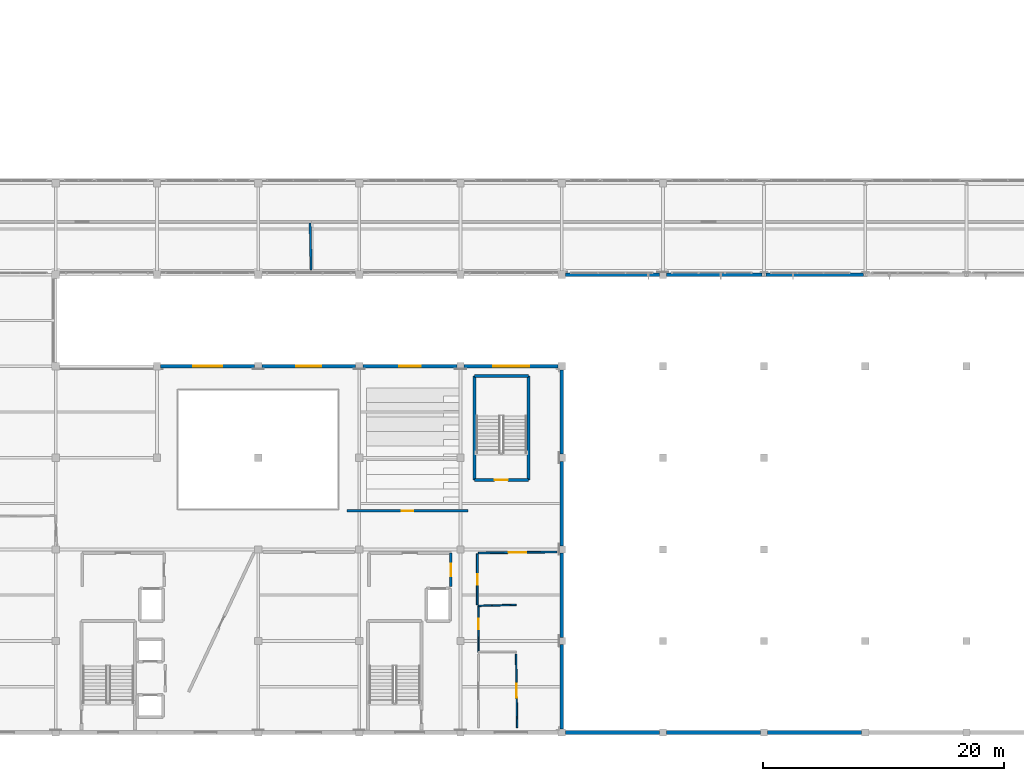
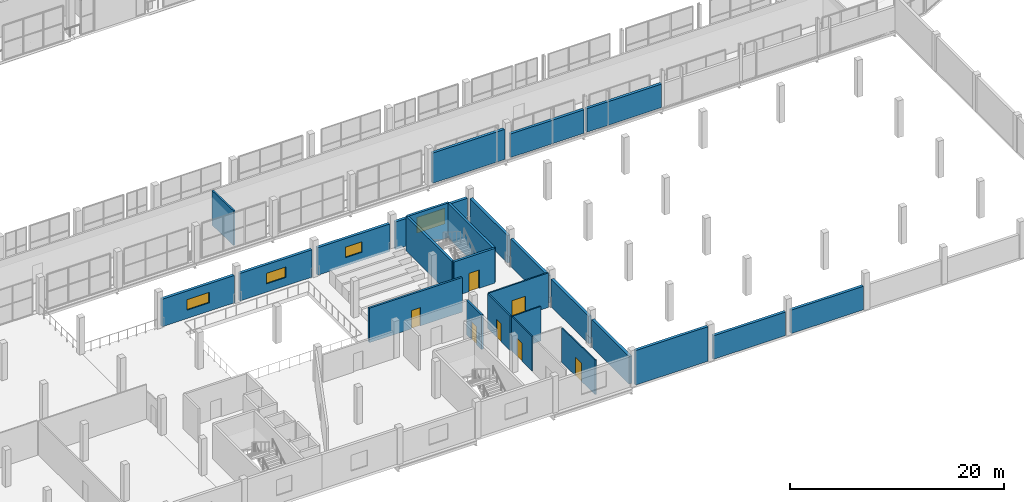
# One storey, part 129 of 151: 26 walls, 7 doors, 4 windows, 11 openings.
"""IFC4 building model written with IfcOpenShell, lengths in metres."""

from ifc_helpers import new_model, si_unit, direction, frame, frame_2d, origin, place, context, subcontext, project, spatial, rectangle, extrude, material, layer, layer_set, type_object, element, fill, save


model = new_model("IFC4")

# Units and contexts
model_context = context("Model", 3, precision=1e-05, world=origin(), true_north=direction((0.0, 1.0)))
body_context = subcontext(model_context, "Body", "Model", "MODEL_VIEW")
ifc_project = project(units=[si_unit("LENGTHUNIT", "METRE"), si_unit("AREAUNIT", "SQUARE_METRE"), si_unit("VOLUMEUNIT", "CUBIC_METRE"), si_unit("PLANEANGLEUNIT", "RADIAN"), si_unit("MASSUNIT", "GRAM", prefix="KILO")], contexts=[model_context])

# Site, building, storey
site_placement = place(None, origin())
site = spatial("IfcSite", under=ifc_project, at=site_placement, CompositionType="ELEMENT")
building_placement = place(site_placement, origin())
building = spatial("IfcBuilding", under=site, at=building_placement, Name="Zuvorla Pavilion Media Centre", CompositionType="ELEMENT")
storey_placement = place(building_placement, frame((0.0, 0.0, 13.800048828125)))
storey = spatial("IfcBuildingStorey", under=building, at=storey_placement, Name="L03", CompositionType="ELEMENT", Elevation=13.800048828125)

# Wall, opening, door
ifc_material_1 = material(Name="Acoustic masonry blockwork C32/40", Category="masonry")
ifc_layer_1 = layer(ifc_material_1, 0.219970703125)
ifc_layer_set_1 = layer_set([ifc_layer_1], Name="Acoustic masonry blockwork C32/40")
wall_type_1 = type_object("IfcWallType", Name="WL-CMP-220", PredefinedType="SOLIDWALL", material=ifc_layer_set_1)
wall_1_placement = place(storey_placement, frame((99.60009765625, 18.10009765625, 0.0), z_axis=(0.0, 0.0, 1.0), x_axis=(0.0, 1.0, 0.0)))
wall_1 = element("IfcWall", 1, at=wall_1_placement, inside=storey, type_object=wall_type_1, Name="L03 solid wall IW22 186", PredefinedType="SOLIDWALL", context=body_context, shape_type="SweptSolid", body=[
    extrude(rectangle(XDim=2.7998046875, YDim=0.219970703125, at=frame_2d((1.39990234375, 0.0))), origin(), (0.0, 0.0, 1.0), 3.949951171875),
])
opening_1_placement = place(wall_1_placement, frame((0.875, 0.0, 0.0)))
opening_1 = element("IfcOpeningElement", 2, at=opening_1_placement, cuts=wall_1, Name="Opening FD04", PredefinedType="OPENING", context=body_context, shape_type="SweptSolid", body=[
    extrude(rectangle(XDim=1.050048828125, YDim=2.10009765625, at=frame_2d((0.52490234375, 1.050048828125))), frame((0.0, 0.119873046875, 0.0), z_axis=(0.0, -1.0, 0.0), x_axis=(1.0, 0.0, 0.0)), (0.0, 0.0, 1.0), 0.239990234375),
])
ifc_material_2 = material(Name="Acoustic timber fire door leaf in steel frame", Category="steel")
door_type_1 = type_object("IfcDoorType", Name="DR-INT-FD04", OperationType="NOTDEFINED", PredefinedType="DOOR", material=ifc_material_2)
door_1_placement = place(opening_1_placement, origin())
door_1 = element("IfcDoor", 3, at=door_1_placement, inside=storey, type_object=door_type_1, Name="Firefighting lobby 2 access door FD04 71", OperationType="SINGLE_SWING_LEFT", OverallHeight=2.10009765625, OverallWidth=1.050048828125, PredefinedType="DOOR", context=body_context, shape_type="SweptSolid", body=[
    extrude(rectangle(XDim=1.050048828125, YDim=2.10009765625, at=frame_2d((0.52490234375, 1.050048828125))), frame((0.0, 0.02490234375, 0.0), z_axis=(0.0, -1.0, 0.0), x_axis=(1.0, 0.0, 0.0)), (0.0, 0.0, 1.0), 0.050048828125),
])
fill(opening_1, door_1)

wall_2_placement = place(storey_placement, frame((90.98046875, 24.39990234375, 0.0), z_axis=(0.0, 0.0, 1.0), x_axis=(1.0, 0.0, 0.0)))
wall_2 = element("IfcWall", 4, at=wall_2_placement, inside=storey, type_object=wall_type_1, Name="L03 solid wall IW22 523", PredefinedType="SOLIDWALL", context=body_context, shape_type="SweptSolid", body=[
    extrude(rectangle(XDim=10.0390625, YDim=0.219970703125, at=frame_2d((5.01953125, 0.0))), origin(), (0.0, 0.0, 1.0), 3.949951171875),
])
opening_2_placement = place(wall_2_placement, frame((4.54443359375, 0.0, 0.0)))
opening_2 = element("IfcOpeningElement", 5, at=opening_2_placement, cuts=wall_2, Name="Opening FD02", PredefinedType="OPENING", context=body_context, shape_type="SweptSolid", body=[
    extrude(rectangle(XDim=0.949951171875, YDim=2.10009765625, at=frame_2d((0.47509765625, 1.050048828125))), frame((0.0, 0.119873046875, 0.0), z_axis=(0.0, -1.0, 0.0), x_axis=(1.0, 0.0, 0.0)), (0.0, 0.0, 1.0), 0.239990234375),
])
door_type_2 = type_object("IfcDoorType", Name="DR-INT-FD02", OperationType="NOTDEFINED", PredefinedType="DOOR", material=ifc_material_2)
door_2_placement = place(opening_2_placement, origin())
door_2 = element("IfcDoor", 6, at=door_2_placement, inside=storey, type_object=door_type_2, Name="Interior door FD02 223", OperationType="SINGLE_SWING_RIGHT", OverallHeight=2.10009765625, OverallWidth=0.949951171875, PredefinedType="DOOR", context=body_context, shape_type="SweptSolid", body=[
    extrude(rectangle(XDim=0.949951171875, YDim=2.10009765625, at=frame_2d((0.47509765625, 1.050048828125))), frame((0.0, 0.02490234375, 0.0), z_axis=(0.0, -1.0, 0.0), x_axis=(1.0, 0.0, 0.0)), (0.0, 0.0, 1.0), 0.050048828125),
])
fill(opening_2, door_2)

# Walls
ifc_material_3 = material(Name="Concrete C40/50", Category="concrete")
ifc_layer_2 = layer(ifc_material_3, 0.25)
ifc_layer_set_2 = layer_set([ifc_layer_2], Name="Concrete C40/50")
wall_type_2 = type_object("IfcWallType", Name="WL-COR-250", PredefinedType="SHEAR", material=ifc_layer_set_2)
for number, where, z_axis, x_axis, name in (
    (7, (101.574951171875, 26.97509765625, 0.0), (0.0, 0.0, 1.0), (0.0, 1.0, 0.0), "L03 shear wall CW25 317"),
    (8, (106.02490234375, 26.97509765625, 0.0), (0.0, 0.0, 1.0), (0.0, 1.0, 0.0), "L03 shear wall CW25 318"),
):
    element("IfcWall", number, at=place(storey_placement, frame(where, z_axis=z_axis, x_axis=x_axis)), inside=storey, type_object=wall_type_2, Name=name, PredefinedType="SHEAR", context=body_context, shape_type="SweptSolid", body=[
        extrude(rectangle(XDim=8.599853515625, YDim=0.25, at=frame_2d((4.2998046875, 0.0))), origin(), (0.0, 0.0, 1.0), 3.9599609375),
    ])
wall_3_placement = place(storey_placement, frame((101.574951171875, 35.574951171875, 0.0), z_axis=(0.0, 0.0, 1.0), x_axis=(1.0, 0.0, 0.0)))
element("IfcWall", 9, at=wall_3_placement, inside=storey, type_object=wall_type_2, Name="L03 shear wall CW25 319", PredefinedType="SHEAR", context=body_context, shape_type="SweptSolid", body=[
    extrude(rectangle(XDim=4.449951171875, YDim=0.25, at=frame_2d((2.22509765625, 0.0))), origin(), (0.0, 0.0, 1.0), 3.9599609375),
])

# Wall, opening, door
wall_4_placement = place(storey_placement, frame((101.574951171875, 26.97509765625, 0.0), z_axis=(0.0, 0.0, 1.0), x_axis=(1.0, 0.0, 0.0)))
wall_4 = element("IfcWall", 10, at=wall_4_placement, inside=storey, type_object=wall_type_2, Name="L03 shear wall CW25 320", PredefinedType="SHEAR", context=body_context, shape_type="SweptSolid", body=[
    extrude(rectangle(XDim=4.449951171875, YDim=0.25, at=frame_2d((2.22509765625, 0.0))), origin(), (0.0, 0.0, 1.0), 3.9599609375),
])
opening_3_placement = place(wall_4_placement, frame((1.64990234375, 0.0, 0.0)))
opening_3 = element("IfcOpeningElement", 11, at=opening_3_placement, cuts=wall_4, Name="Opening FD05", PredefinedType="OPENING", context=body_context, shape_type="SweptSolid", body=[
    extrude(rectangle(XDim=1.10009765625, YDim=2.10009765625, at=frame_2d((0.550048828125, 1.050048828125))), frame((0.0, 0.135009765625, 0.0), z_axis=(0.0, -1.0, 0.0), x_axis=(1.0, 0.0, 0.0)), (0.0, 0.0, 1.0), 0.27001953125),
])
door_type_3 = type_object("IfcDoorType", Name="DR-INT-FD05", OperationType="NOTDEFINED", PredefinedType="DOOR", material=ifc_material_2)
door_3_placement = place(opening_3_placement, frame((1.10009765625, 0.0, 0.0), z_axis=(0.0, 0.0, 1.0), x_axis=(-1.0, 0.0, 0.0)))
door_3 = element("IfcDoor", 12, at=door_3_placement, inside=storey, type_object=door_type_3, Name="Stair ST-04 fire door FD05 109", OperationType="SINGLE_SWING_RIGHT", OverallHeight=2.10009765625, OverallWidth=1.10009765625, PredefinedType="DOOR", context=body_context, shape_type="SweptSolid", body=[
    extrude(rectangle(XDim=1.10009765625, YDim=2.10009765625, at=frame_2d((0.550048828125, 1.050048828125))), frame((0.0, 0.02490234375, 0.0), z_axis=(0.0, -1.0, 0.0), x_axis=(1.0, 0.0, 0.0)), (0.0, 0.0, 1.0), 0.050048828125),
])
fill(opening_3, door_3)

# Walls
ifc_material_4 = material(Name="White rendered concrete C32/40", Category="concrete")
ifc_layer_3 = layer(ifc_material_4, 0.300048828125)
ifc_layer_set_3 = layer_set([ifc_layer_3], Name="White rendered concrete C32/40")
wall_type_3 = type_object("IfcWallType", Name="WL-EXT-300", PredefinedType="SOLIDWALL", material=ifc_layer_set_3)
wall_5_placement = place(storey_placement, frame((109.10009765625, 6.0, 0.0), z_axis=(0.0, 0.0, 1.0), x_axis=(1.0, 0.0, 0.0)))
element("IfcWall", 13, at=wall_5_placement, inside=storey, type_object=wall_type_3, Name="L03 exterior solid wall EW03 250", PredefinedType="SOLIDWALL", context=body_context, shape_type="SweptSolid", body=[
    extrude(rectangle(XDim=7.7998046875, YDim=0.300048828125, at=frame_2d((3.89990234375, 0.0))), origin(), (0.0, 0.0, 1.0), 3.949951171875),
])
for number, where, z_axis, x_axis, name in (
    (14, (117.5, 6.0, 0.0), (0.0, 0.0, 1.0), (1.0, 0.0, 0.0), "L03 exterior solid wall EW03 251"),
    (15, (125.89990234375, 6.0, 0.0), (0.0, 0.0, 1.0), (1.0, 0.0, 0.0), "L03 exterior solid wall EW03 252"),
):
    element("IfcWall", number, at=place(storey_placement, frame(where, z_axis=z_axis, x_axis=x_axis)), inside=storey, type_object=wall_type_3, Name=name, PredefinedType="SOLIDWALL", context=body_context, shape_type="SweptSolid", body=[
        extrude(rectangle(XDim=7.800048828125, YDim=0.300048828125, at=frame_2d((3.89990234375, 0.0))), origin(), (0.0, 0.0, 1.0), 2.68701171875),
    ])
wall_6_placement = place(storey_placement, frame((133.845458984375, 44.0, 0.0), z_axis=(0.0, 0.0, 1.0), x_axis=(-1.0, 0.0, 0.0)))
element("IfcWall", 16, at=wall_6_placement, inside=storey, type_object=wall_type_3, Name="L03 exterior solid wall EW03 264", PredefinedType="SOLIDWALL", context=body_context, shape_type="SweptSolid", body=[
    extrude(rectangle(XDim=8.0908203125, YDim=0.300048828125, at=frame_2d((4.04541015625, 0.0))), origin(), (0.0, 0.0, 1.0), 2.68701171875),
])
wall_7_placement = place(storey_placement, frame((125.4453125, 44.0, 0.0), z_axis=(0.0, 0.0, 1.0), x_axis=(-1.0, 0.0, 0.0)))
element("IfcWall", 17, at=wall_7_placement, inside=storey, type_object=wall_type_3, Name="L03 exterior solid wall EW03 265", PredefinedType="SOLIDWALL", context=body_context, shape_type="SweptSolid", body=[
    extrude(rectangle(XDim=7.9453125, YDim=0.300048828125, at=frame_2d((3.97265625, 0.0))), origin(), (0.0, 0.0, 1.0), 2.68701171875),
])
wall_8_placement = place(storey_placement, frame((116.89990234375, 44.0, 0.0), z_axis=(0.0, 0.0, 1.0), x_axis=(-1.0, 0.0, 0.0)))
element("IfcWall", 18, at=wall_8_placement, inside=storey, type_object=wall_type_3, Name="L03 exterior solid wall EW03 266", PredefinedType="SOLIDWALL", context=body_context, shape_type="SweptSolid", body=[
    extrude(rectangle(XDim=7.7998046875, YDim=0.300048828125, at=frame_2d((3.89990234375, 0.0))), origin(), (0.0, 0.0, 1.0), 3.447021484375),
])
for number, where, z_axis, x_axis, name in (
    (19, (108.800048828125, 6.300048828125, 0.0), (0.0, 0.0, 1.0), (0.0, 1.0, 0.0), "L03 exterior solid wall EW03 267"),
    (20, (108.800048828125, 13.89990234375, 0.0), (0.0, 0.0, 1.0), (0.0, 1.0, 0.0), "L03 exterior solid wall EW03 268"),
    (21, (108.800048828125, 21.5, 0.0), (0.0, 0.0, 1.0), (0.0, 1.0, 0.0), "L03 exterior solid wall EW03 269"),
    (22, (108.800048828125, 29.10009765625, 0.0), (0.0, 0.0, 1.0), (0.0, 1.0, 0.0), "L03 exterior solid wall EW03 270"),
):
    element("IfcWall", number, at=place(storey_placement, frame(where, z_axis=z_axis, x_axis=x_axis)), inside=storey, type_object=wall_type_3, Name=name, PredefinedType="SOLIDWALL", context=body_context, shape_type="SweptSolid", body=[
        extrude(rectangle(XDim=7.0, YDim=0.300048828125, at=frame_2d((3.5, 0.0))), origin(), (0.0, 0.0, 1.0), 3.134765625),
    ])

# Wall, opening, window
wall_9_placement = place(storey_placement, frame((108.5, 36.39990234375, 0.0), z_axis=(0.0, 0.0, 1.0), x_axis=(-1.0, 0.0, 0.0)))
wall_9 = element("IfcWall", 23, at=wall_9_placement, inside=storey, type_object=wall_type_3, Name="L03 exterior solid wall EW03 271", PredefinedType="SOLIDWALL", context=body_context, shape_type="SweptSolid", body=[
    extrude(rectangle(XDim=7.800048828125, YDim=0.300048828125, at=frame_2d((3.89990234375, 0.0))), origin(), (0.0, 0.0, 1.0), 3.134765625),
])
opening_4_placement = place(wall_9_placement, frame((2.39990234375, 0.0, 0.949951171875)))
opening_4 = element("IfcOpeningElement", 24, at=opening_4_placement, cuts=wall_9, Name="Opening WN16", PredefinedType="OPENING", context=body_context, shape_type="SweptSolid", body=[
    extrude(rectangle(XDim=3.0, YDim=1.800048828125, at=frame_2d((1.5, 0.89990234375))), frame((0.0, 0.159912109375, 0.0), z_axis=(0.0, -1.0, 0.0), x_axis=(1.0, 0.0, 0.0)), (0.0, 0.0, 1.0), 0.320068359375),
])
ifc_material_5 = material(Name="Anodised aluminium frame with solar double glazing", Category="aluminium")
window_type_1 = type_object("IfcWindowType", Name="WIN-WN16", PartitioningType="DOUBLE_PANEL_VERTICAL", PredefinedType="WINDOW", material=ifc_material_5)
window_1_placement = place(opening_4_placement, origin())
window_1 = element("IfcWindow", 25, at=window_1_placement, inside=storey, type_object=window_type_1, Name="L03 window WN16 100", OverallHeight=1.800048828125, OverallWidth=3.0, PartitioningType="DOUBLE_PANEL_VERTICAL", PredefinedType="WINDOW", context=body_context, shape_type="SweptSolid", body=[
    extrude(rectangle(XDim=3.0, YDim=1.800048828125, at=frame_2d((1.5, 0.89990234375))), frame((0.0, 0.030029296875, 0.0), z_axis=(0.0, -1.0, 0.0), x_axis=(1.0, 0.0, 0.0)), (0.0, 0.0, 1.0), 0.06005859375),
])
fill(opening_4, window_1)

wall_10_placement = place(storey_placement, frame((100.10009765625, 36.39990234375, 0.0), z_axis=(0.0, 0.0, 1.0), x_axis=(-1.0, 0.0, 0.0)))
wall_10 = element("IfcWall", 26, at=wall_10_placement, inside=storey, type_object=wall_type_3, Name="L03 exterior solid wall EW03 272", PredefinedType="SOLIDWALL", context=body_context, shape_type="SweptSolid", body=[
    extrude(rectangle(XDim=7.800048828125, YDim=0.300048828125, at=frame_2d((3.89990234375, 0.0))), origin(), (0.0, 0.0, 1.0), 3.134765625),
])
opening_5_placement = place(wall_10_placement, frame((3.0, 0.0, 0.949951171875)))
opening_5 = element("IfcOpeningElement", 27, at=opening_5_placement, cuts=wall_10, Name="Opening WN26", PredefinedType="OPENING", context=body_context, shape_type="SweptSolid", body=[
    extrude(rectangle(XDim=1.800048828125, YDim=1.199951171875, at=frame_2d((0.89990234375, 0.60009765625))), frame((0.0, 0.159912109375, 0.0), z_axis=(0.0, -1.0, 0.0), x_axis=(1.0, 0.0, 0.0)), (0.0, 0.0, 1.0), 0.320068359375),
])
window_type_2 = type_object("IfcWindowType", Name="WIN-WN26", PartitioningType="DOUBLE_PANEL_VERTICAL", PredefinedType="WINDOW", material=ifc_material_5)
window_2_placement = place(opening_5_placement, origin())
window_2 = element("IfcWindow", 28, at=window_2_placement, inside=storey, type_object=window_type_2, Name="L03 window WN26 101", OverallHeight=1.199951171875, OverallWidth=1.800048828125, PartitioningType="DOUBLE_PANEL_VERTICAL", PredefinedType="WINDOW", context=body_context, shape_type="SweptSolid", body=[
    extrude(rectangle(XDim=1.800048828125, YDim=1.199951171875, at=frame_2d((0.89990234375, 0.60009765625))), frame((0.0, 0.030029296875, 0.0), z_axis=(0.0, -1.0, 0.0), x_axis=(1.0, 0.0, 0.0)), (0.0, 0.0, 1.0), 0.06005859375),
])
fill(opening_5, window_2)

wall_11_placement = place(storey_placement, frame((91.699951171875, 36.39990234375, 0.0), z_axis=(0.0, 0.0, 1.0), x_axis=(-1.0, 0.0, 0.0)))
wall_11 = element("IfcWall", 29, at=wall_11_placement, inside=storey, type_object=wall_type_3, Name="L03 exterior solid wall EW03 273", PredefinedType="SOLIDWALL", context=body_context, shape_type="SweptSolid", body=[
    extrude(rectangle(XDim=7.800048828125, YDim=0.300048828125, at=frame_2d((3.89990234375, 0.0))), origin(), (0.0, 0.0, 1.0), 3.134765625),
])
opening_6_placement = place(wall_11_placement, frame((2.85009765625, 0.0, 0.949951171875)))
opening_6 = element("IfcOpeningElement", 30, at=opening_6_placement, cuts=wall_11, Name="Opening WN27", PredefinedType="OPENING", context=body_context, shape_type="SweptSolid", body=[
    extrude(rectangle(XDim=2.10009765625, YDim=1.199951171875, at=frame_2d((1.050048828125, 0.60009765625))), frame((0.0, 0.159912109375, 0.0), z_axis=(0.0, -1.0, 0.0), x_axis=(1.0, 0.0, 0.0)), (0.0, 0.0, 1.0), 0.320068359375),
])
window_type_3 = type_object("IfcWindowType", Name="WIN-WN27", PartitioningType="DOUBLE_PANEL_VERTICAL", PredefinedType="WINDOW", material=ifc_material_5)
window_3_placement = place(opening_6_placement, origin())
window_3 = element("IfcWindow", 31, at=window_3_placement, inside=storey, type_object=window_type_3, Name="L03 window WN27 102", OverallHeight=1.199951171875, OverallWidth=2.10009765625, PartitioningType="DOUBLE_PANEL_VERTICAL", PredefinedType="WINDOW", context=body_context, shape_type="SweptSolid", body=[
    extrude(rectangle(XDim=2.10009765625, YDim=1.199951171875, at=frame_2d((1.050048828125, 0.60009765625))), frame((0.0, 0.030029296875, 0.0), z_axis=(0.0, -1.0, 0.0), x_axis=(1.0, 0.0, 0.0)), (0.0, 0.0, 1.0), 0.06005859375),
])
fill(opening_6, window_3)

wall_12_placement = place(storey_placement, frame((83.300048828125, 36.39990234375, 0.0), z_axis=(0.0, 0.0, 1.0), x_axis=(-1.0, 0.0, 0.0)))
wall_12 = element("IfcWall", 32, at=wall_12_placement, inside=storey, type_object=wall_type_3, Name="L03 exterior solid wall EW03 274", PredefinedType="SOLIDWALL", context=body_context, shape_type="SweptSolid", body=[
    extrude(rectangle(XDim=7.800048828125, YDim=0.300048828125, at=frame_2d((3.89990234375, 0.0))), origin(), (0.0, 0.0, 1.0), 3.134765625),
])
opening_7_placement = place(wall_12_placement, frame((2.699951171875, 0.0, 0.949951171875)))
opening_7 = element("IfcOpeningElement", 33, at=opening_7_placement, cuts=wall_12, Name="Opening WN28", PredefinedType="OPENING", context=body_context, shape_type="SweptSolid", body=[
    extrude(rectangle(XDim=2.39990234375, YDim=1.199951171875, at=frame_2d((1.199951171875, 0.60009765625))), frame((0.0, 0.159912109375, 0.0), z_axis=(0.0, -1.0, 0.0), x_axis=(1.0, 0.0, 0.0)), (0.0, 0.0, 1.0), 0.320068359375),
])
window_type_4 = type_object("IfcWindowType", Name="WIN-WN28", PartitioningType="DOUBLE_PANEL_VERTICAL", PredefinedType="WINDOW", material=ifc_material_5)
window_4_placement = place(opening_7_placement, origin())
window_4 = element("IfcWindow", 34, at=window_4_placement, inside=storey, type_object=window_type_4, Name="L03 window WN28 103", OverallHeight=1.199951171875, OverallWidth=2.39990234375, PartitioningType="DOUBLE_PANEL_VERTICAL", PredefinedType="WINDOW", context=body_context, shape_type="SweptSolid", body=[
    extrude(rectangle(XDim=2.39990234375, YDim=1.199951171875, at=frame_2d((1.199951171875, 0.60009765625))), frame((0.0, 0.030029296875, 0.0), z_axis=(0.0, -1.0, 0.0), x_axis=(1.0, 0.0, 0.0)), (0.0, 0.0, 1.0), 0.06005859375),
])
fill(opening_7, window_4)

# Wall, opening, door
ifc_material_6 = material(Name="Lightweight gypsum partition")
ifc_layer_4 = layer(ifc_material_6, 0.1201171875)
ifc_layer_set_4 = layer_set([ifc_layer_4], Name="Lightweight gypsum partition")
wall_type_4 = type_object("IfcWallType", Name="WL-PRT-120", PredefinedType="PARTITIONING", material=ifc_layer_set_4)
wall_13_placement = place(storey_placement, frame((101.891357421875, 12.679931640625, 0.0), z_axis=(0.0, 0.0, 1.0), x_axis=(0.002098030858, 0.999997799131, 0.0)))
wall_13 = element("IfcWall", 35, at=wall_13_placement, inside=storey, type_object=wall_type_4, Name="L03 partition PT12 519", PredefinedType="PARTITIONING", context=body_context, shape_type="SweptSolid", body=[
    extrude(rectangle(XDim=3.840087890625, YDim=0.1201171875, at=frame_2d((1.919921875, 0.0))), origin(), (0.0, 0.0, 1.0), 3.949951171875),
])
opening_8_placement = place(wall_13_placement, frame((1.8798828125, 0.0, 0.0)))
opening_8 = element("IfcOpeningElement", 36, at=opening_8_placement, cuts=wall_13, Name="Opening ID01", PredefinedType="OPENING", context=body_context, shape_type="SweptSolid", body=[
    extrude(rectangle(XDim=0.8798828125, YDim=2.080078125, at=frame_2d((0.43994140625, 1.0400390625))), frame((0.0, 0.070068359375, 0.0), z_axis=(0.0, -1.0, 0.0), x_axis=(1.0, 0.0, 0.0)), (0.0, 0.0, 1.0), 0.14013671875),
])
ifc_material_7 = material(Name="Hardwood acoustic studio door in anodised frame", Category="wood")
door_type_4 = type_object("IfcDoorType", Name="DR-UNR-ID01", OperationType="NOTDEFINED", PredefinedType="DOOR", material=ifc_material_7)
door_4_placement = place(opening_8_placement, origin())
door_4 = element("IfcDoor", 37, at=door_4_placement, inside=storey, type_object=door_type_4, Name="Interior door ID01 219", OperationType="SINGLE_SWING_RIGHT", OverallHeight=2.080078125, OverallWidth=0.8798828125, PredefinedType="DOOR", context=body_context, shape_type="SweptSolid", body=[
    extrude(rectangle(XDim=0.8798828125, YDim=2.080078125, at=frame_2d((0.43994140625, 1.0400390625))), frame((0.0, 0.02490234375, 0.0), z_axis=(0.0, -1.0, 0.0), x_axis=(1.0, 0.0, 0.0)), (0.0, 0.0, 1.0), 0.050048828125),
])
fill(opening_8, door_4)

# Wall
wall_14_placement = place(storey_placement, frame((101.8798828125, 16.5126953125, 0.0), z_axis=(0.0, 0.0, 1.0), x_axis=(0.999632070922, 0.02712421029, 0.0)))
element("IfcWall", 38, at=wall_14_placement, inside=storey, type_object=wall_type_4, Name="L03 partition PT12 539", PredefinedType="PARTITIONING", context=body_context, shape_type="SweptSolid", body=[
    extrude(rectangle(XDim=3.141357421875, YDim=0.1201171875, at=frame_2d((1.57080078125, 0.0))), origin(), (0.0, 0.0, 1.0), 3.949951171875),
])

# Wall, opening, door
wall_15_placement = place(storey_placement, frame((105.010009765625, 12.510009765625, 0.0), z_axis=(0.0, 0.0, 1.0), x_axis=(0.014742474068, -0.999891323824, 0.0)))
wall_15 = element("IfcWall", 39, at=wall_15_placement, inside=storey, type_object=wall_type_4, Name="L03 partition PT12 540", PredefinedType="PARTITIONING", context=body_context, shape_type="SweptSolid", body=[
    extrude(rectangle(XDim=6.11083984375, YDim=0.1201171875, at=frame_2d((3.055419921875, 0.0))), origin(), (0.0, 0.0, 1.0), 3.949951171875),
])
opening_9_placement = place(wall_15_placement, frame((2.480224609375, 0.0, 0.0)))
opening_9 = element("IfcOpeningElement", 40, at=opening_9_placement, cuts=wall_15, Name="Opening ID06", PredefinedType="OPENING", context=body_context, shape_type="SweptSolid", body=[
    extrude(rectangle(XDim=1.14990234375, YDim=2.1201171875, at=frame_2d((0.574951171875, 1.06005859375))), frame((0.0, 0.070068359375, 0.0), z_axis=(0.0, -1.0, 0.0), x_axis=(1.0, 0.0, 0.0)), (0.0, 0.0, 1.0), 0.14013671875),
])
door_type_5 = type_object("IfcDoorType", Name="DR-UNR-ID06", OperationType="NOTDEFINED", PredefinedType="DOOR", material=ifc_material_7)
door_5_placement = place(opening_9_placement, origin())
door_5 = element("IfcDoor", 41, at=door_5_placement, inside=storey, type_object=door_type_5, Name="Interior door ID06 238", OperationType="SINGLE_SWING_LEFT", OverallHeight=2.1201171875, OverallWidth=1.14990234375, PredefinedType="DOOR", context=body_context, shape_type="SweptSolid", body=[
    extrude(rectangle(XDim=1.14990234375, YDim=2.1201171875, at=frame_2d((0.574951171875, 1.06005859375))), frame((0.0, 0.02490234375, 0.0), z_axis=(0.0, -1.0, 0.0), x_axis=(1.0, 0.0, 0.0)), (0.0, 0.0, 1.0), 0.050048828125),
])
fill(opening_9, door_5)

ifc_material_8 = material(Name="Acoustic gypsum stud partition")
ifc_layer_5 = layer(ifc_material_8, 0.14990234375)
ifc_layer_set_5 = layer_set([ifc_layer_5], Name="Acoustic gypsum stud partition")
wall_type_5 = type_object("IfcWallType", Name="WL-PRT-150", PredefinedType="PARTITIONING", material=ifc_layer_set_5)
wall_16_placement = place(storey_placement, frame((108.39990234375, 20.989990234375, 0.0), z_axis=(0.0, 0.0, 1.0), x_axis=(-0.999907125909, -0.013628630039, 0.0)))
wall_16 = element("IfcWall", 42, at=wall_16_placement, inside=storey, type_object=wall_type_5, Name="L03 partition PT15 521", PredefinedType="PARTITIONING", context=body_context, shape_type="SweptSolid", body=[
    extrude(rectangle(XDim=6.5205078125, YDim=0.14990234375, at=frame_2d((3.26025390625, 0.0))), origin(), (0.0, 0.0, 1.0), 3.949951171875),
])
opening_10_placement = place(wall_16_placement, frame((2.535400390625, 0.0, 0.0)))
opening_10 = element("IfcOpeningElement", 43, at=opening_10_placement, cuts=wall_16, Name="Opening ID09", PredefinedType="OPENING", context=body_context, shape_type="SweptSolid", body=[
    extrude(rectangle(XDim=1.449951171875, YDim=2.179931640625, at=frame_2d((0.72509765625, 1.08984375))), frame((0.0, 0.0849609375, 0.0), z_axis=(0.0, -1.0, 0.0), x_axis=(1.0, 0.0, 0.0)), (0.0, 0.0, 1.0), 0.169921875),
])
door_type_6 = type_object("IfcDoorType", Name="DR-UNR-ID09", OperationType="NOTDEFINED", PredefinedType="DOOR", material=ifc_material_7)
door_6_placement = place(opening_10_placement, origin())
door_6 = element("IfcDoor", 44, at=door_6_placement, inside=storey, type_object=door_type_6, Name="Interior door ID09 221", OperationType="DOUBLE_DOOR_SINGLE_SWING", OverallHeight=2.179931640625, OverallWidth=1.449951171875, PredefinedType="DOOR", context=body_context, shape_type="SweptSolid", body=[
    extrude(rectangle(XDim=1.449951171875, YDim=2.179931640625, at=frame_2d((0.72509765625, 1.08984375))), frame((0.0, 0.02490234375, 0.0), z_axis=(0.0, -1.0, 0.0), x_axis=(1.0, 0.0, 0.0)), (0.0, 0.0, 1.0), 0.050048828125),
])
fill(opening_10, door_6)

wall_17_placement = place(storey_placement, frame((101.7998046875, 20.820068359375, 0.0), z_axis=(0.0, 0.0, 1.0), x_axis=(-0.002251986436, -0.999997464275, 0.0)))
wall_17 = element("IfcWall", 45, at=wall_17_placement, inside=storey, type_object=wall_type_5, Name="L03 partition PT15 522", PredefinedType="PARTITIONING", context=body_context, shape_type="SweptSolid", body=[
    extrude(rectangle(XDim=4.22802734375, YDim=0.14990234375, at=frame_2d((2.114013671875, 0.0))), origin(), (0.0, 0.0, 1.0), 3.949951171875),
])
opening_11_placement = place(wall_17_placement, frame((1.674072265625, 0.0, 0.0)))
opening_11 = element("IfcOpeningElement", 46, at=opening_11_placement, cuts=wall_17, Name="Opening ID01", PredefinedType="OPENING", context=body_context, shape_type="SweptSolid", body=[
    extrude(rectangle(XDim=0.8798828125, YDim=2.080078125, at=frame_2d((0.43994140625, 1.0400390625))), frame((0.0, 0.0849609375, 0.0), z_axis=(0.0, -1.0, 0.0), x_axis=(1.0, 0.0, 0.0)), (0.0, 0.0, 1.0), 0.169921875),
])
door_7_placement = place(opening_11_placement, origin())
door_7 = element("IfcDoor", 47, at=door_7_placement, inside=storey, type_object=door_type_4, Name="Interior door ID01 222", OperationType="SINGLE_SWING_LEFT", OverallHeight=2.080078125, OverallWidth=0.8798828125, PredefinedType="DOOR", context=body_context, shape_type="SweptSolid", body=[
    extrude(rectangle(XDim=0.8798828125, YDim=2.080078125, at=frame_2d((0.43994140625, 1.0400390625))), frame((0.0, 0.02490234375, 0.0), z_axis=(0.0, -1.0, 0.0), x_axis=(1.0, 0.0, 0.0)), (0.0, 0.0, 1.0), 0.050048828125),
])
fill(opening_11, door_7)

# Wall
ifc_material_9 = material(Name="Double acoustic gypsum stud partition")
ifc_layer_6 = layer(ifc_material_9, 0.179931640625)
ifc_layer_set_6 = layer_set([ifc_layer_6], Name="Double acoustic gypsum stud partition")
wall_type_6 = type_object("IfcWallType", Name="WL-PRT-180", PredefinedType="PARTITIONING", material=ifc_layer_set_6)
wall_18_placement = place(storey_placement, frame((87.911865234375, 48.31005859375, 0.0), z_axis=(0.0, 0.0, 1.0), x_axis=(0.021984994315, -0.999758300803, 0.0)))
element("IfcWall", 48, at=wall_18_placement, inside=storey, type_object=wall_type_6, Name="L03 partition PT18 541", PredefinedType="PARTITIONING", context=body_context, shape_type="SweptSolid", body=[
    extrude(rectangle(XDim=3.93115234375, YDim=0.179931640625, at=frame_2d((1.965576171875, 0.0))), origin(), (0.0, 0.0, 1.0), 3.949951171875),
])

save(model, "model.ifc")
